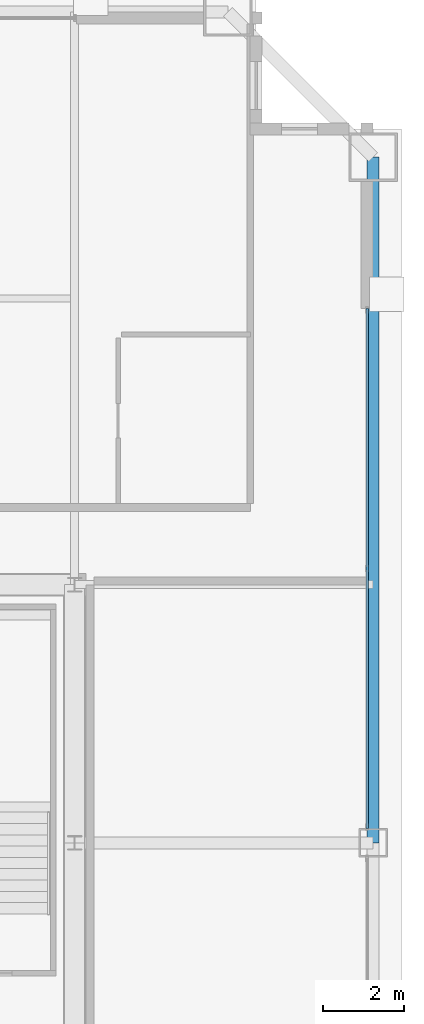
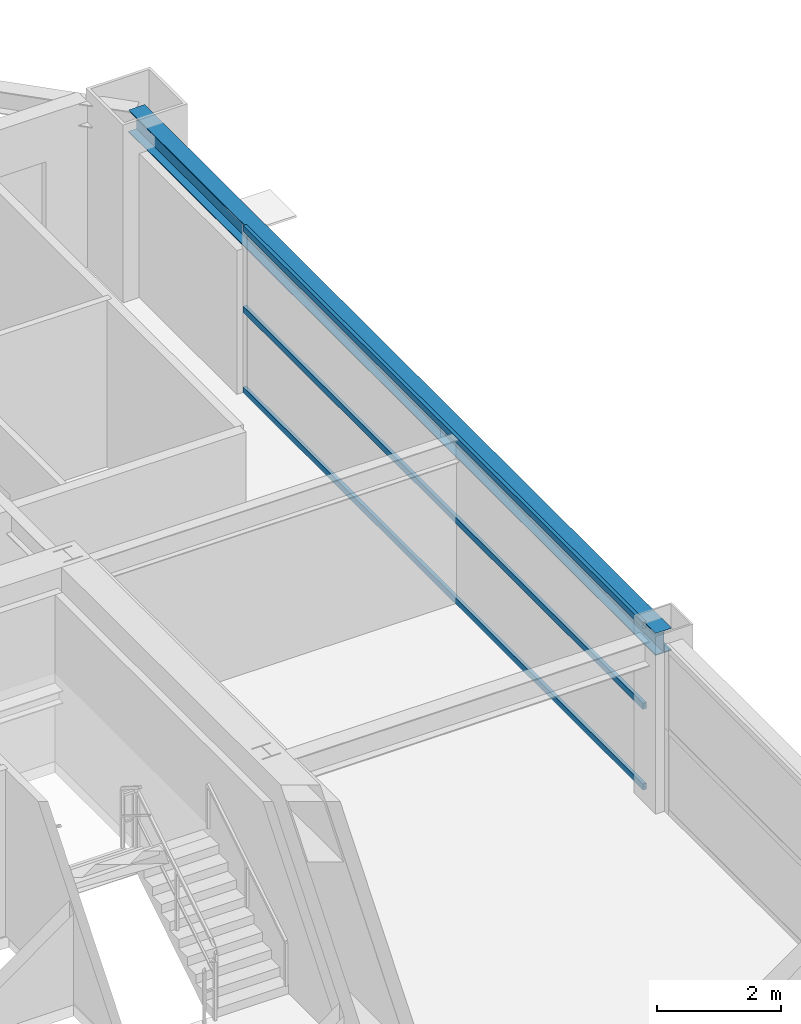
# One storey, part 22 of 37: 3 members, 1 beam, 1 element without a shape of its own.
"""IFC4 building model written with IfcOpenShell, lengths in metres."""

import ifcopenshell
import ifcopenshell.guid

model = None  # the IFC model being written
_history = None  # IfcOwnerHistory: only IFC2X3 demands one
_inside = {}  # id of a spatial element -> (the spatial element, [elements in it])
_under = {}  # id of a project, library or spatial element -> (it, [spatial elements below it])
_declared = {}  # id of a project -> (the project, [libraries it declares])
_typed = {}  # id of a type object -> (the type object, [elements of that type])
_made_of = {}  # id of a material, layer set ... -> (it, [elements and type objects made of it])


def new_model(schema):
    """Start an empty IFC model of exactly this schema.

    Asked for "IFC4X3", IfcOpenShell would pick the latest addendum, in which some entities
    have other attributes; the version numbers below select the first issue.
    IFC2X3 requires an IfcOwnerHistory on every rooted entity: one is made here for all.
    """
    global model, _history
    if schema == "IFC4X3":
        model = ifcopenshell.file(schema_version=(4, 3, 0, 0))
    else:
        model = ifcopenshell.file(schema=schema)
    _inside.clear()
    _under.clear()
    _declared.clear()
    _typed.clear()
    _made_of.clear()
    _history = None
    if model.schema == "IFC2X3":
        org = make("IfcOrganization", Name="unknown")
        user = make(
            "IfcPersonAndOrganization",
            ThePerson=make("IfcPerson", FamilyName="unknown"),
            TheOrganization=org,
        )
        app = make(
            "IfcApplication",
            ApplicationDeveloper=org,
            Version="unknown",
            ApplicationFullName="unknown",
            ApplicationIdentifier="unknown",
        )
        _history = make(
            "IfcOwnerHistory",
            OwningUser=user,
            OwningApplication=app,
            ChangeAction="ADDED",
            CreationDate=0,
        )
    return model


def make(cls, **values):
    """One entity of the class cls with the attributes given. An attribute that is None is left unset."""
    return model.create_entity(
        cls, **{name: value for name, value in values.items() if value is not None}
    )


def rooted(cls, **values):
    """An entity with a GlobalId (a new one), such as an element, a storey or a relation."""
    return make(cls, GlobalId=ifcopenshell.guid.new(), OwnerHistory=_history, **values)


def si_unit(unit_type, name, prefix=None):
    """IfcSIUnit, for example si_unit("LENGTHUNIT", "METRE", prefix="MILLI")."""
    return make("IfcSIUnit", UnitType=unit_type, Prefix=prefix, Name=name)


def assignment(units):
    """IfcUnitAssignment: the units of a project."""
    return None if units is None else make("IfcUnitAssignment", Units=units)


def point(xyz):
    """IfcCartesianPoint."""
    return None if xyz is None else make("IfcCartesianPoint", Coordinates=xyz)


def direction(xyz):
    """IfcDirection."""
    return None if xyz is None else make("IfcDirection", DirectionRatios=xyz)


def frame(location, z_axis=None, x_axis=None):
    """IfcAxis2Placement3D, a coordinate frame: its origin and axes. An axis left out is left unset."""
    return make(
        "IfcAxis2Placement3D",
        Location=point(location),
        Axis=direction(z_axis),
        RefDirection=direction(x_axis),
    )


def frame_2d(location, x_axis=None):
    """IfcAxis2Placement2D, a coordinate frame in the plane: its origin and x axis."""
    return make(
        "IfcAxis2Placement2D", Location=point(location), RefDirection=direction(x_axis)
    )


def origin():
    """The frame at (0, 0, 0) with its axes left unset."""
    return frame((0.0, 0.0, 0.0))


def origin_2d():
    """The frame at (0, 0) in the plane with its x axis left unset."""
    return frame_2d((0.0, 0.0))


def place(relative_to, where):
    """IfcLocalPlacement: puts the frame where relative to a parent placement (None: the world)."""
    return make(
        "IfcLocalPlacement", PlacementRelTo=relative_to, RelativePlacement=where
    )


def context(
    kind, dimensions, precision=None, world=None, true_north=None, identifier=None
):
    """IfcGeometricRepresentationContext, for example the 3D "Model" context."""
    return make(
        "IfcGeometricRepresentationContext",
        ContextIdentifier=identifier,
        ContextType=kind,
        CoordinateSpaceDimension=dimensions,
        Precision=precision,
        WorldCoordinateSystem=world,
        TrueNorth=true_north,
    )


def subcontext(parent, identifier, kind, view, scale=None):
    """IfcGeometricRepresentationSubContext, for example "Body" below "Model"."""
    return make(
        "IfcGeometricRepresentationSubContext",
        ContextIdentifier=identifier,
        ContextType=kind,
        ParentContext=parent,
        TargetScale=scale,
        TargetView=view,
    )


def project(units=None, contexts=None):
    """IfcProject with its units and contexts."""
    return rooted(
        "IfcProject",
        Name="project",
        RepresentationContexts=contexts,
        UnitsInContext=assignment(units),
    )


def spatial(cls, under=None, at=None, **own):
    """A site, building, storey or space (cls), placed at a placement, below another one or the project."""
    s = rooted(cls, ObjectPlacement=at, **own)
    if under is not None:
        _under.setdefault(under.id(), (under, []))[1].append(s)
    return s


def profile(cls, at=None, kind="AREA", **sizes):
    """A parametric profile (cls). Its sizes go by their IFC names, for example OverallWidth=200.0."""
    return make(cls, ProfileType=kind, Position=at, **sizes)


def hollow_rectangle(**sizes):
    """IfcRectangleHollowProfileDef."""
    return profile("IfcRectangleHollowProfileDef", **sizes)


def i_section(**sizes):
    """IfcIShapeProfileDef."""
    return profile("IfcIShapeProfileDef", **sizes)


def extrude(swept, where, along, depth):
    """IfcExtrudedAreaSolid: the profile swept, set in the frame where, extruded along a direction by depth."""
    return make(
        "IfcExtrudedAreaSolid",
        SweptArea=swept,
        Position=where,
        ExtrudedDirection=direction(along),
        Depth=depth,
    )


def shape(context_of_items, identifier, shape_type, items):
    """IfcShapeRepresentation: the items that make up one representation, for example the "Body"."""
    return make(
        "IfcShapeRepresentation",
        ContextOfItems=context_of_items,
        RepresentationIdentifier=identifier,
        RepresentationType=shape_type,
        Items=items,
    )


def source(mapping_origin, context_of_items, identifier, shape_type, items):
    """IfcRepresentationMap: a shape defined once, which mapped items show again and again."""
    return make(
        "IfcRepresentationMap",
        MappingOrigin=mapping_origin,
        MappedRepresentation=shape(context_of_items, identifier, shape_type, items),
    )


def transform(
    local_origin,
    x_axis=None,
    y_axis=None,
    z_axis=None,
    scale=None,
    scale2=None,
    scale3=None,
    uniform=True,
):
    """IfcCartesianTransformationOperator3D, or its non-uniform kind. x_axis, y_axis, z_axis: its Axis1, 2, 3."""
    if uniform:
        return make(
            "IfcCartesianTransformationOperator3D",
            Axis1=direction(x_axis),
            Axis2=direction(y_axis),
            LocalOrigin=point(local_origin),
            Scale=scale,
            Axis3=direction(z_axis),
        )
    return make(
        "IfcCartesianTransformationOperator3DnonUniform",
        Axis1=direction(x_axis),
        Axis2=direction(y_axis),
        LocalOrigin=point(local_origin),
        Scale=scale,
        Axis3=direction(z_axis),
        Scale2=scale2,
        Scale3=scale3,
    )


def mapped(mapping_source, mapping_target):
    """IfcMappedItem: shows the shape of a source again, moved by a transform."""
    return make(
        "IfcMappedItem", MappingSource=mapping_source, MappingTarget=mapping_target
    )


def material(Name=None, Category=None):
    """IfcMaterial."""
    return make("IfcMaterial", Name=Name, Category=Category)


def layer(
    of_material, thickness, ventilated=None, Name=None, Category=None, Priority=None
):
    """IfcMaterialLayer: one layer of a wall or slab, of a material (None: an air gap)."""
    return make(
        "IfcMaterialLayer",
        Material=of_material,
        LayerThickness=thickness,
        IsVentilated=ventilated,
        Name=Name,
        Category=Category,
        Priority=Priority,
    )


def layer_set(layers, Name=None):
    """IfcMaterialLayerSet."""
    return make("IfcMaterialLayerSet", MaterialLayers=layers, LayerSetName=Name)


def material_profile(
    of_material, cross_section, Name=None, Category=None, Priority=None
):
    """IfcMaterialProfile: a cross section and its material."""
    return make(
        "IfcMaterialProfile",
        Name=Name,
        Material=of_material,
        Profile=cross_section,
        Priority=Priority,
        Category=Category,
    )


def profile_set(profiles, Name=None, composite=None):
    """IfcMaterialProfileSet."""
    return make(
        "IfcMaterialProfileSet",
        Name=Name,
        MaterialProfiles=profiles,
        CompositeProfile=composite,
    )


def made_of(thing, what):
    """Note that an element or type object is made of a material, layer set ...; save() writes the relation."""
    if what is not None:
        _made_of.setdefault(what.id(), (what, []))[1].append(thing)
    return thing


def type_object(cls, material=None, **own):
    """A type object (cls), such as IfcWallType, which elements share."""
    return made_of(rooted(cls, **own), material)


def element(
    cls,
    number,
    at=None,
    inside=None,
    cuts=None,
    type_object=None,
    material=None,
    context=None,
    identifier="Body",
    shape_type=None,
    held_by="IfcProductDefinitionShape",
    body=None,
    shapes=None,
    **own,
):
    """One element of the class cls, such as IfcWall. Its Tag is "e" and its number.

    at: its placement. inside: the storey or other place that contains it. cuts: it is an
    opening in that element (IfcRelVoidsElement). A single representation is given by context,
    identifier, shape_type and body (its items); several are given by shapes. held_by: the class
    of the entity that holds the representations. save() writes the other relations.
    """
    e = rooted(cls, Tag="e%d" % number, ObjectPlacement=at, **own)
    if body is not None:
        shapes = [shape(context, identifier, shape_type, body)]
    if shapes is not None:
        e.Representation = make(held_by, Representations=shapes)
    if inside is not None:
        _inside.setdefault(inside.id(), (inside, []))[1].append(e)
    if cuts is not None:
        rooted(
            "IfcRelVoidsElement", RelatingBuildingElement=cuts, RelatedOpeningElement=e
        )
    if type_object is not None:
        _typed.setdefault(type_object.id(), (type_object, []))[1].append(e)
    return made_of(e, material)


def aggregate(whole, parts):
    """IfcRelAggregates: a whole, such as a stair, and the parts it consists of."""
    return rooted("IfcRelAggregates", RelatingObject=whole, RelatedObjects=parts)


def save(model, path):
    """Write the relations noted so far, then the file.

    IfcRelAggregates (storeys below a building ...), IfcRelContainedInSpatialStructure (elements
    in a storey), IfcRelDefinesByType, IfcRelAssociatesMaterial and IfcRelDeclares: one each for
    every whole, place, type object, material and project.
    """
    for whole, parts in _under.values():
        aggregate(whole, parts)
    for where, things in _inside.values():
        rooted(
            "IfcRelContainedInSpatialStructure",
            RelatedElements=things,
            RelatingStructure=where,
        )
    for kind, things in _typed.values():
        rooted("IfcRelDefinesByType", RelatedObjects=things, RelatingType=kind)
    for what, things in _made_of.values():
        rooted("IfcRelAssociatesMaterial", RelatedObjects=things, RelatingMaterial=what)
    for by, libraries in _declared.values():
        rooted("IfcRelDeclares", RelatingContext=by, RelatedDefinitions=libraries)
    model.write(path)


model = new_model("IFC4")

# Units and contexts
model_context = context("Model", 3, precision=1e-05, world=origin(), true_north=direction((0.0, 1.0)))
body_context = subcontext(model_context, "Body", "Model", "MODEL_VIEW")
ifc_project = project(units=[si_unit("LENGTHUNIT", "METRE"), si_unit("AREAUNIT", "SQUARE_METRE"), si_unit("VOLUMEUNIT", "CUBIC_METRE"), si_unit("PLANEANGLEUNIT", "RADIAN"), si_unit("MASSUNIT", "GRAM", prefix="KILO"), si_unit("THERMODYNAMICTEMPERATUREUNIT", "KELVIN"), si_unit("POWERUNIT", "WATT")], contexts=[model_context])

# Site, building, storey
site_placement = place(None, origin())
site = spatial("IfcSite", under=ifc_project, at=site_placement, CompositionType="ELEMENT")
building_placement = place(site_placement, origin())
building = spatial("IfcBuilding", under=site, at=building_placement, Name="Yuzanri Waterfront Tower", CompositionType="ELEMENT")
storey_placement = place(building_placement, frame((0.0, 0.0, 275.10009765625)))
storey = spatial("IfcBuildingStorey", under=building, at=storey_placement, Name="L73", CompositionType="ELEMENT", Elevation=275.10009765625)

# Beam
ifc_material_1 = material(Name="Steel Q355B", Category="steel")
ifc_material_profile_1 = material_profile(ifc_material_1, i_section(OverallWidth=0.300048828125, OverallDepth=0.43994140625, WebThickness=0.010986328125, FlangeThickness=0.01806640625, at=origin_2d()), Name="HM 440x300x11x18")
ifc_profile_set_1 = profile_set([ifc_material_profile_1], Name="Steel Q355B")
beam_type = type_object("IfcBeamType", Name="Perimeter Spandrel Q355B HM 440x300", PredefinedType="SPANDREL", material=ifc_profile_set_1)
shared_shape_1 = source(origin(), body_context, "Body", "SweptSolid", [
    extrude(i_section(OverallWidth=0.300048828125, OverallDepth=0.43994140625, WebThickness=0.010986328125, FlangeThickness=0.01806640625, at=origin_2d()), origin(), (0.0, 0.0, 1.0), 17.0),
])
beam_placement = place(storey_placement, frame((57.60009765625, 25.800048828125, 3.059814453125), z_axis=(0.0, 1.0, 0.0), x_axis=(-1.0, 0.0, 0.0)))
element("IfcBeam", 1, at=beam_placement, inside=storey, type_object=beam_type, Name="L73 Perimeter Spandrel E2-E3", PredefinedType="SPANDREL", context=body_context, shape_type="MappedRepresentation", body=[
    mapped(shared_shape_1, transform((0.0, 0.0, 0.0), scale=1.0)),
])

# Curtain wall, members
ifc_material_2 = material(Name="Anodized Architectural Bronze", Category="metal")
ifc_layer = layer(ifc_material_2, 0.159912109375)
ifc_layer_set = layer_set([ifc_layer], Name="Anodized Architectural Bronze")
curtain_wall_type = type_object("IfcCurtainWallType", Name="Anodized Bronze Mid-Rise Residential Acoustic Unitized Curtain Wall 7200", PredefinedType="NOTDEFINED", material=ifc_layer_set)
curtain_wall_placement = place(storey_placement, origin())
curtain_wall = element("IfcCurtainWall", 2, at=curtain_wall_placement, inside=storey, type_object=curtain_wall_type, Name="L73 Curtain Wall CW-L73-ER", PredefinedType="NOTDEFINED")
ifc_material_3 = material(Name="Anodized Architectural Bronze", Category="metal")
ifc_material_profile_2 = material_profile(ifc_material_3, hollow_rectangle(XDim=0.06494140625, YDim=0.1201171875, WallThickness=0.00341796875, at=origin_2d()), Name="CWT 65x120")
ifc_profile_set_2 = profile_set([ifc_material_profile_2], Name="Anodized Architectural Bronze")
member_type = type_object("IfcMemberType", Name="Anodized Bronze Secondary Curtain-Wall Transom 65x120", PredefinedType="USERDEFINED", material=ifc_profile_set_2)
shared_shape_2 = source(origin(), body_context, "Body", "SweptSolid", [
    extrude(hollow_rectangle(XDim=0.06494140625, YDim=0.1201171875, WallThickness=0.00341796875, at=origin_2d()), origin(), (0.0, 0.0, 1.0), 12.900146484375),
])
member_1_placement = place(storey_placement, frame((57.449951171875, 26.14990234375, 0.0498046875), z_axis=(0.0, 1.0, 0.0), x_axis=(-1.0, 0.0, 0.0)))
member_1 = element("IfcMember", 3, at=member_1_placement, type_object=member_type, Name="CW-L73-ER Transom 1", ObjectType="TRANSOM", PredefinedType="USERDEFINED", context=body_context, shape_type="MappedRepresentation", body=[
    mapped(shared_shape_2, transform((0.0, 0.0, 0.0), scale=1.0)),
])
member_2_placement = place(storey_placement, frame((57.449951171875, 26.14990234375, 1.639892578125), z_axis=(0.0, 1.0, 0.0), x_axis=(-1.0, 0.0, 0.0)))
member_2 = element("IfcMember", 4, at=member_2_placement, type_object=member_type, Name="CW-L73-ER Transom 2", ObjectType="TRANSOM", PredefinedType="USERDEFINED", context=body_context, shape_type="MappedRepresentation", body=[
    mapped(shared_shape_2, transform((0.0, 0.0, 0.0), scale=1.0)),
])
member_3_placement = place(storey_placement, frame((57.449951171875, 26.14990234375, 3.22998046875), z_axis=(0.0, 1.0, 0.0), x_axis=(-1.0, 0.0, 0.0)))
member_3 = element("IfcMember", 5, at=member_3_placement, type_object=member_type, Name="CW-L73-ER Transom 3", ObjectType="TRANSOM", PredefinedType="USERDEFINED", context=body_context, shape_type="MappedRepresentation", body=[
    mapped(shared_shape_2, transform((0.0, 0.0, 0.0), scale=1.0)),
])
aggregate(curtain_wall, [member_1, member_2, member_3])

save(model, "model.ifc")
